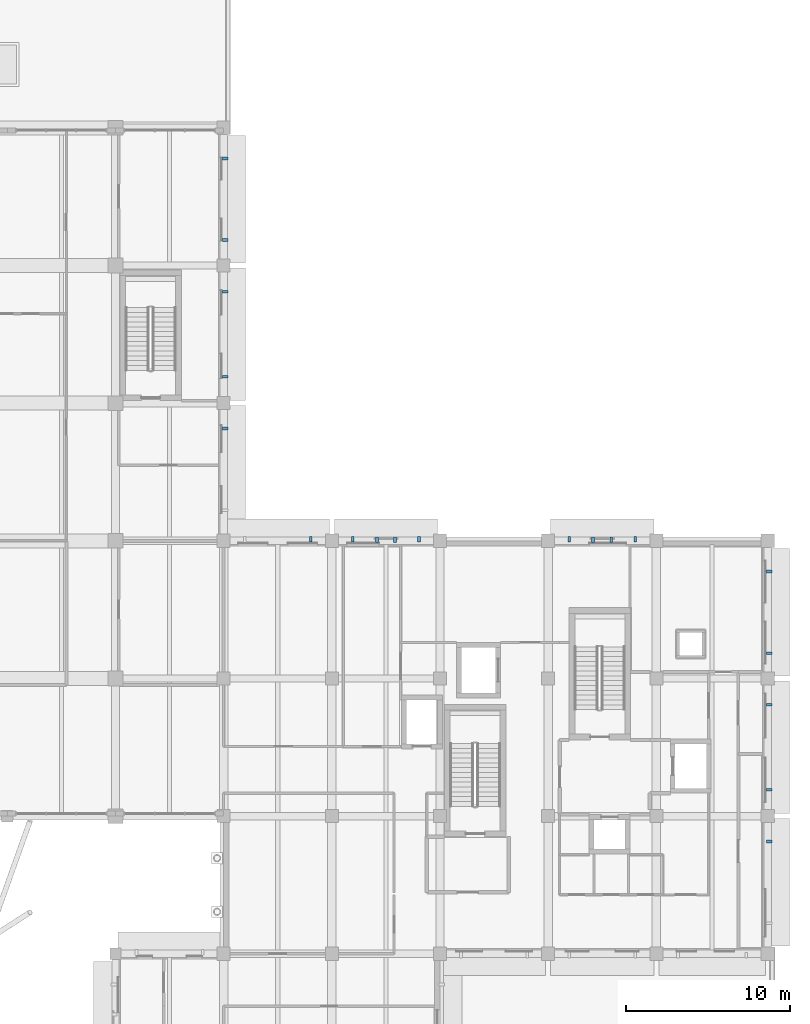
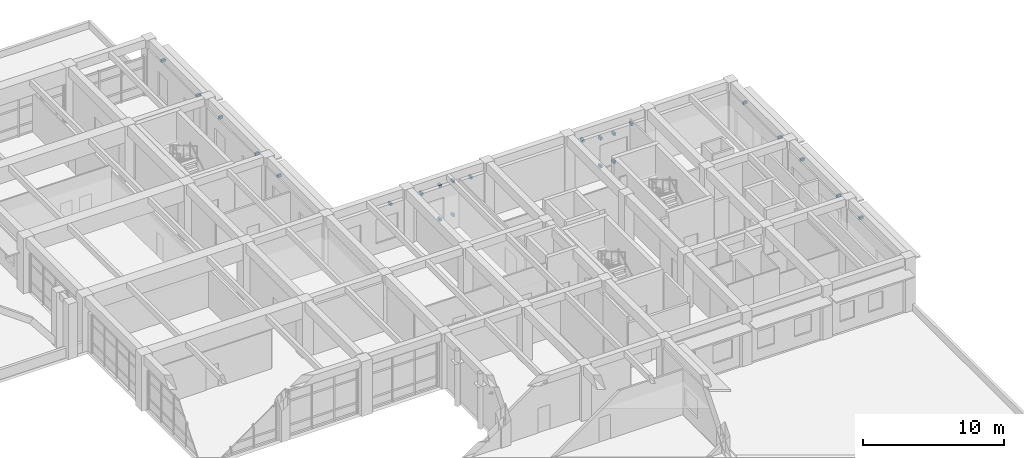
# One storey, part 63 of 75: 23 discrete accessories.
"""IFC4 building model written with IfcOpenShell, lengths in metres."""

import ifcopenshell
import ifcopenshell.guid

model = None  # the IFC model being written
_history = None  # IfcOwnerHistory: only IFC2X3 demands one
_inside = {}  # id of a spatial element -> (the spatial element, [elements in it])
_under = {}  # id of a project, library or spatial element -> (it, [spatial elements below it])
_declared = {}  # id of a project -> (the project, [libraries it declares])
_typed = {}  # id of a type object -> (the type object, [elements of that type])
_made_of = {}  # id of a material, layer set ... -> (it, [elements and type objects made of it])


def new_model(schema):
    """Start an empty IFC model of exactly this schema.

    Asked for "IFC4X3", IfcOpenShell would pick the latest addendum, in which some entities
    have other attributes; the version numbers below select the first issue.
    IFC2X3 requires an IfcOwnerHistory on every rooted entity: one is made here for all.
    """
    global model, _history
    if schema == "IFC4X3":
        model = ifcopenshell.file(schema_version=(4, 3, 0, 0))
    else:
        model = ifcopenshell.file(schema=schema)
    _inside.clear()
    _under.clear()
    _declared.clear()
    _typed.clear()
    _made_of.clear()
    _history = None
    if model.schema == "IFC2X3":
        org = make("IfcOrganization", Name="unknown")
        user = make(
            "IfcPersonAndOrganization",
            ThePerson=make("IfcPerson", FamilyName="unknown"),
            TheOrganization=org,
        )
        app = make(
            "IfcApplication",
            ApplicationDeveloper=org,
            Version="unknown",
            ApplicationFullName="unknown",
            ApplicationIdentifier="unknown",
        )
        _history = make(
            "IfcOwnerHistory",
            OwningUser=user,
            OwningApplication=app,
            ChangeAction="ADDED",
            CreationDate=0,
        )
    return model


def make(cls, **values):
    """One entity of the class cls with the attributes given. An attribute that is None is left unset."""
    return model.create_entity(
        cls, **{name: value for name, value in values.items() if value is not None}
    )


def rooted(cls, **values):
    """An entity with a GlobalId (a new one), such as an element, a storey or a relation."""
    return make(cls, GlobalId=ifcopenshell.guid.new(), OwnerHistory=_history, **values)


def si_unit(unit_type, name, prefix=None):
    """IfcSIUnit, for example si_unit("LENGTHUNIT", "METRE", prefix="MILLI")."""
    return make("IfcSIUnit", UnitType=unit_type, Prefix=prefix, Name=name)


def assignment(units):
    """IfcUnitAssignment: the units of a project."""
    return None if units is None else make("IfcUnitAssignment", Units=units)


def point(xyz):
    """IfcCartesianPoint."""
    return None if xyz is None else make("IfcCartesianPoint", Coordinates=xyz)


def direction(xyz):
    """IfcDirection."""
    return None if xyz is None else make("IfcDirection", DirectionRatios=xyz)


def frame(location, z_axis=None, x_axis=None):
    """IfcAxis2Placement3D, a coordinate frame: its origin and axes. An axis left out is left unset."""
    return make(
        "IfcAxis2Placement3D",
        Location=point(location),
        Axis=direction(z_axis),
        RefDirection=direction(x_axis),
    )


def frame_2d(location, x_axis=None):
    """IfcAxis2Placement2D, a coordinate frame in the plane: its origin and x axis."""
    return make(
        "IfcAxis2Placement2D", Location=point(location), RefDirection=direction(x_axis)
    )


def origin():
    """The frame at (0, 0, 0) with its axes left unset."""
    return frame((0.0, 0.0, 0.0))


def origin_2d():
    """The frame at (0, 0) in the plane with its x axis left unset."""
    return frame_2d((0.0, 0.0))


def place(relative_to, where):
    """IfcLocalPlacement: puts the frame where relative to a parent placement (None: the world)."""
    return make(
        "IfcLocalPlacement", PlacementRelTo=relative_to, RelativePlacement=where
    )


def context(
    kind, dimensions, precision=None, world=None, true_north=None, identifier=None
):
    """IfcGeometricRepresentationContext, for example the 3D "Model" context."""
    return make(
        "IfcGeometricRepresentationContext",
        ContextIdentifier=identifier,
        ContextType=kind,
        CoordinateSpaceDimension=dimensions,
        Precision=precision,
        WorldCoordinateSystem=world,
        TrueNorth=true_north,
    )


def subcontext(parent, identifier, kind, view, scale=None):
    """IfcGeometricRepresentationSubContext, for example "Body" below "Model"."""
    return make(
        "IfcGeometricRepresentationSubContext",
        ContextIdentifier=identifier,
        ContextType=kind,
        ParentContext=parent,
        TargetScale=scale,
        TargetView=view,
    )


def project(units=None, contexts=None):
    """IfcProject with its units and contexts."""
    return rooted(
        "IfcProject",
        Name="project",
        RepresentationContexts=contexts,
        UnitsInContext=assignment(units),
    )


def spatial(cls, under=None, at=None, **own):
    """A site, building, storey or space (cls), placed at a placement, below another one or the project."""
    s = rooted(cls, ObjectPlacement=at, **own)
    if under is not None:
        _under.setdefault(under.id(), (under, []))[1].append(s)
    return s


def profile(cls, at=None, kind="AREA", **sizes):
    """A parametric profile (cls). Its sizes go by their IFC names, for example OverallWidth=200.0."""
    return make(cls, ProfileType=kind, Position=at, **sizes)


def rectangle(**sizes):
    """IfcRectangleProfileDef."""
    return profile("IfcRectangleProfileDef", **sizes)


def extrude(swept, where, along, depth):
    """IfcExtrudedAreaSolid: the profile swept, set in the frame where, extruded along a direction by depth."""
    return make(
        "IfcExtrudedAreaSolid",
        SweptArea=swept,
        Position=where,
        ExtrudedDirection=direction(along),
        Depth=depth,
    )


def shape(context_of_items, identifier, shape_type, items):
    """IfcShapeRepresentation: the items that make up one representation, for example the "Body"."""
    return make(
        "IfcShapeRepresentation",
        ContextOfItems=context_of_items,
        RepresentationIdentifier=identifier,
        RepresentationType=shape_type,
        Items=items,
    )


def material(Name=None, Category=None):
    """IfcMaterial."""
    return make("IfcMaterial", Name=Name, Category=Category)


def made_of(thing, what):
    """Note that an element or type object is made of a material, layer set ...; save() writes the relation."""
    if what is not None:
        _made_of.setdefault(what.id(), (what, []))[1].append(thing)
    return thing


def type_object(cls, material=None, **own):
    """A type object (cls), such as IfcWallType, which elements share."""
    return made_of(rooted(cls, **own), material)


def element(
    cls,
    number,
    at=None,
    inside=None,
    cuts=None,
    type_object=None,
    material=None,
    context=None,
    identifier="Body",
    shape_type=None,
    held_by="IfcProductDefinitionShape",
    body=None,
    shapes=None,
    **own,
):
    """One element of the class cls, such as IfcWall. Its Tag is "e" and its number.

    at: its placement. inside: the storey or other place that contains it. cuts: it is an
    opening in that element (IfcRelVoidsElement). A single representation is given by context,
    identifier, shape_type and body (its items); several are given by shapes. held_by: the class
    of the entity that holds the representations. save() writes the other relations.
    """
    e = rooted(cls, Tag="e%d" % number, ObjectPlacement=at, **own)
    if body is not None:
        shapes = [shape(context, identifier, shape_type, body)]
    if shapes is not None:
        e.Representation = make(held_by, Representations=shapes)
    if inside is not None:
        _inside.setdefault(inside.id(), (inside, []))[1].append(e)
    if cuts is not None:
        rooted(
            "IfcRelVoidsElement", RelatingBuildingElement=cuts, RelatedOpeningElement=e
        )
    if type_object is not None:
        _typed.setdefault(type_object.id(), (type_object, []))[1].append(e)
    return made_of(e, material)


def aggregate(whole, parts):
    """IfcRelAggregates: a whole, such as a stair, and the parts it consists of."""
    return rooted("IfcRelAggregates", RelatingObject=whole, RelatedObjects=parts)


def save(model, path):
    """Write the relations noted so far, then the file.

    IfcRelAggregates (storeys below a building ...), IfcRelContainedInSpatialStructure (elements
    in a storey), IfcRelDefinesByType, IfcRelAssociatesMaterial and IfcRelDeclares: one each for
    every whole, place, type object, material and project.
    """
    for whole, parts in _under.values():
        aggregate(whole, parts)
    for where, things in _inside.values():
        rooted(
            "IfcRelContainedInSpatialStructure",
            RelatedElements=things,
            RelatingStructure=where,
        )
    for kind, things in _typed.values():
        rooted("IfcRelDefinesByType", RelatedObjects=things, RelatingType=kind)
    for what, things in _made_of.values():
        rooted("IfcRelAssociatesMaterial", RelatedObjects=things, RelatingMaterial=what)
    for by, libraries in _declared.values():
        rooted("IfcRelDeclares", RelatingContext=by, RelatedDefinitions=libraries)
    model.write(path)


model = new_model("IFC4")

# Units and contexts
model_context = context("Model", 3, precision=1e-05, world=origin(), true_north=direction((0.0, 1.0)))
body_context = subcontext(model_context, "Body", "Model", "MODEL_VIEW")
ifc_project = project(units=[si_unit("LENGTHUNIT", "METRE"), si_unit("AREAUNIT", "SQUARE_METRE"), si_unit("VOLUMEUNIT", "CUBIC_METRE"), si_unit("PLANEANGLEUNIT", "RADIAN"), si_unit("MASSUNIT", "GRAM", prefix="KILO")], contexts=[model_context])

# Site, building, storey
site_placement = place(None, origin())
site = spatial("IfcSite", under=ifc_project, at=site_placement, CompositionType="ELEMENT")
building_placement = place(site_placement, origin())
building = spatial("IfcBuilding", under=site, at=building_placement, Name="Kolvaren Faculty of Natural Sciences", CompositionType="ELEMENT")
storey_placement = place(building_placement, frame((0.0, 0.0, 5.39990234375)))
storey = spatial("IfcBuildingStorey", under=building, at=storey_placement, Name="L01", CompositionType="ELEMENT", Elevation=5.39990234375)

# Discrete accessories
ifc_material = material(Name="Structural steel EN 10025-2 S355J2", Category="steel")
discrete_accessory_type = type_object("IfcDiscreteAccessoryType", Name="FacadeSupportBracket_260", PredefinedType="BRACKET", material=ifc_material)
for number, where, z_axis, x_axis, name in (
    (1, (138.89990234375, 107.529541015625, 3.71533203125), (0.0, 0.0, 1.0), (0.0, -1.0, 0.0), "L01 chhajja hood steel bracket"),
    (2, (138.89990234375, 102.55029296875, 3.71533203125), (0.0, 0.0, 1.0), (0.0, -1.0, 0.0), "L01 chhajja hood steel bracket"),
    (3, (138.89990234375, 99.39208984375, 3.71533203125), (0.0, 0.0, 1.0), (0.0, -1.0, 0.0), "L01 chhajja hood steel bracket"),
    (4, (138.89990234375, 94.2080078125, 3.71533203125), (0.0, 0.0, 1.0), (0.0, -1.0, 0.0), "L01 chhajja hood steel bracket"),
    (5, (138.89990234375, 91.049560546875, 3.71533203125), (0.0, 0.0, 1.0), (0.0, -1.0, 0.0), "L01 chhajja hood steel bracket"),
    (6, (144.115966796875, 84.300048828125, 3.56494140625), (0.0, 0.0, 1.0), (1.0, 0.0, 0.0), "L01 chhajja hood steel bracket"),
    (7, (146.68408203125, 84.300048828125, 3.56494140625), (0.0, 0.0, 1.0), (1.0, 0.0, 0.0), "L01 chhajja hood steel bracket"),
    (8, (150.716064453125, 84.300048828125, 3.56494140625), (0.0, 0.0, 1.0), (1.0, 0.0, 0.0), "L01 chhajja hood steel bracket"),
):
    element("IfcDiscreteAccessory", number, at=place(storey_placement, frame(where, z_axis=z_axis, x_axis=x_axis)), inside=storey, type_object=discrete_accessory_type, Name=name, PredefinedType="BRACKET", context=body_context, shape_type="SweptSolid", body=[
        extrude(rectangle(XDim=0.159912109375, YDim=0.340087890625, at=origin_2d()), origin(), (0.0, 0.0, 1.0), 0.219970703125),
    ])
for number, where, z_axis, x_axis, name in (
    (9, (148.14892578125, 84.260009765625, 0.8203125), (0.0, 0.0, 1.0), (1.0, 0.0, 0.0), "L01 jali screen wall bracket"),
    (10, (149.2509765625, 84.260009765625, 0.8203125), (0.0, 0.0, 1.0), (1.0, 0.0, 0.0), "L01 jali screen wall bracket"),
    (11, (148.14892578125, 84.260009765625, 3.76025390625), (0.0, 0.0, 1.0), (1.0, 0.0, 0.0), "L01 jali screen wall bracket"),
    (12, (149.2509765625, 84.260009765625, 3.76025390625), (0.0, 0.0, 1.0), (1.0, 0.0, 0.0), "L01 jali screen wall bracket"),
):
    element("IfcDiscreteAccessory", number, at=place(storey_placement, frame(where, z_axis=z_axis, x_axis=x_axis)), inside=storey, type_object=discrete_accessory_type, Name=name, PredefinedType="BRACKET", context=body_context, shape_type="SweptSolid", body=[
        extrude(rectangle(XDim=0.179931640625, YDim=0.320068359375, at=origin_2d()), origin(), (0.0, 0.0, 1.0), 0.219970703125),
    ])
for number, where, z_axis, x_axis, name in (
    (13, (159.884033203125, 84.300048828125, 3.56494140625), (0.0, 0.0, 1.0), (1.0, 0.0, 0.0), "L01 chhajja hood steel bracket"),
    (14, (163.916015625, 84.300048828125, 3.56494140625), (0.0, 0.0, 1.0), (1.0, 0.0, 0.0), "L01 chhajja hood steel bracket"),
):
    element("IfcDiscreteAccessory", number, at=place(storey_placement, frame(where, z_axis=z_axis, x_axis=x_axis)), inside=storey, type_object=discrete_accessory_type, Name=name, PredefinedType="BRACKET", context=body_context, shape_type="SweptSolid", body=[
        extrude(rectangle(XDim=0.159912109375, YDim=0.340087890625, at=origin_2d()), origin(), (0.0, 0.0, 1.0), 0.219970703125),
    ])
for number, where, z_axis, x_axis, name in (
    (15, (161.34912109375, 84.260009765625, 0.8203125), (0.0, 0.0, 1.0), (1.0, 0.0, 0.0), "L01 jali screen wall bracket"),
    (16, (162.450927734375, 84.260009765625, 0.8203125), (0.0, 0.0, 1.0), (1.0, 0.0, 0.0), "L01 jali screen wall bracket"),
    (17, (161.34912109375, 84.260009765625, 3.26025390625), (0.0, 0.0, 1.0), (1.0, 0.0, 0.0), "L01 jali screen wall bracket"),
    (18, (162.450927734375, 84.260009765625, 3.26025390625), (0.0, 0.0, 1.0), (1.0, 0.0, 0.0), "L01 jali screen wall bracket"),
):
    element("IfcDiscreteAccessory", number, at=place(storey_placement, frame(where, z_axis=z_axis, x_axis=x_axis)), inside=storey, type_object=discrete_accessory_type, Name=name, PredefinedType="BRACKET", context=body_context, shape_type="SweptSolid", body=[
        extrude(rectangle(XDim=0.179931640625, YDim=0.320068359375, at=origin_2d()), origin(), (0.0, 0.0, 1.0), 0.219970703125),
    ])
for number, where, z_axis, x_axis, name in (
    (19, (172.10009765625, 82.32958984375, 3.71533203125), (0.0, 0.0, 1.0), (0.0, -1.0, 0.0), "L01 chhajja hood steel bracket"),
    (20, (172.10009765625, 77.350341796875, 3.71533203125), (0.0, 0.0, 1.0), (0.0, -1.0, 0.0), "L01 chhajja hood steel bracket"),
    (21, (172.10009765625, 74.19189453125, 3.71533203125), (0.0, 0.0, 1.0), (0.0, -1.0, 0.0), "L01 chhajja hood steel bracket"),
    (22, (172.10009765625, 69.008056640625, 3.71533203125), (0.0, 0.0, 1.0), (0.0, -1.0, 0.0), "L01 chhajja hood steel bracket"),
    (23, (172.10009765625, 65.849609375, 3.71533203125), (0.0, 0.0, 1.0), (0.0, -1.0, 0.0), "L01 chhajja hood steel bracket"),
):
    element("IfcDiscreteAccessory", number, at=place(storey_placement, frame(where, z_axis=z_axis, x_axis=x_axis)), inside=storey, type_object=discrete_accessory_type, Name=name, PredefinedType="BRACKET", context=body_context, shape_type="SweptSolid", body=[
        extrude(rectangle(XDim=0.159912109375, YDim=0.340087890625, at=origin_2d()), origin(), (0.0, 0.0, 1.0), 0.219970703125),
    ])

save(model, "model.ifc")
